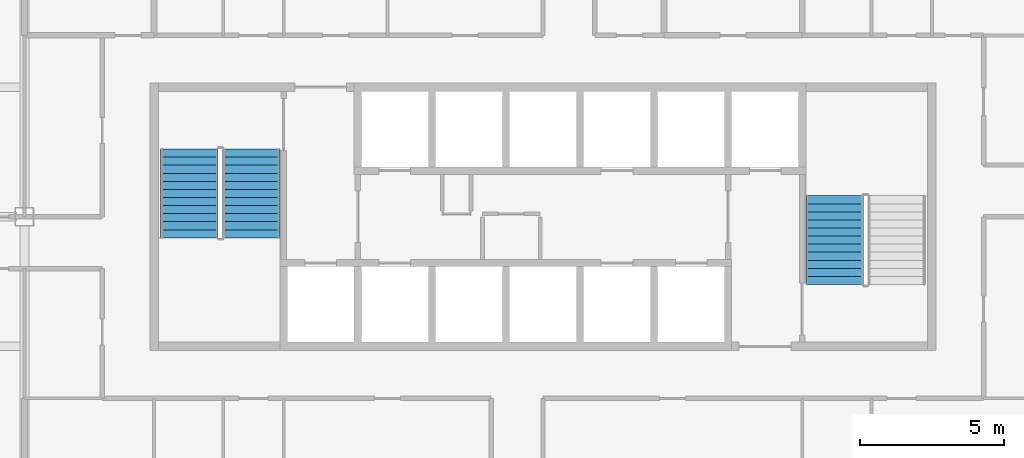
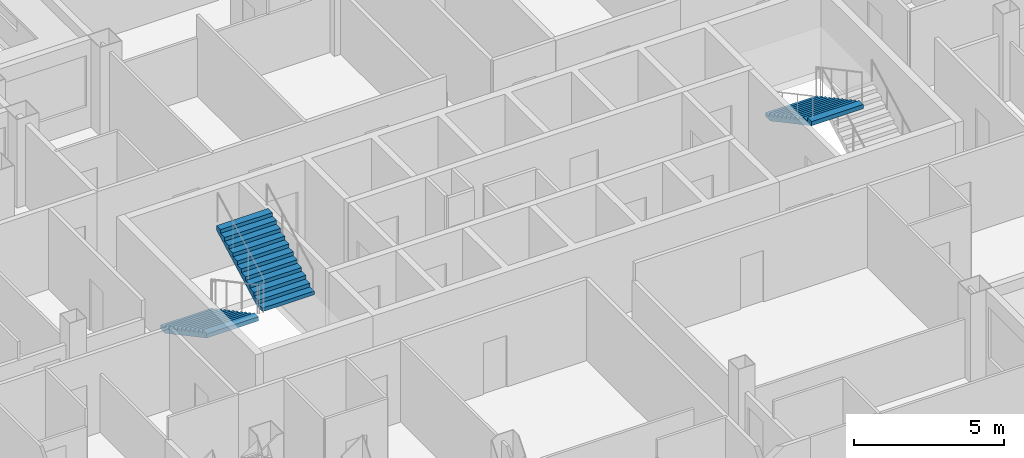
# One storey, part 11 of 15: 3 stair flights, 2 elements without a shape of their own.
"""IFC4 building model written with IfcOpenShell, lengths in metres."""

from ifc_helpers import new_model, si_unit, direction, frame, origin, place, context, subcontext, project, spatial, polygons, material, type_object, element, aggregate, save


model = new_model("IFC4")

# Units and contexts
model_context = context("Model", 3, precision=1e-05, world=origin(), true_north=direction((0.0, 1.0)))
body_context = subcontext(model_context, "Body", "Model", "MODEL_VIEW")
ifc_project = project(units=[si_unit("LENGTHUNIT", "METRE"), si_unit("AREAUNIT", "SQUARE_METRE"), si_unit("VOLUMEUNIT", "CUBIC_METRE"), si_unit("PLANEANGLEUNIT", "RADIAN"), si_unit("MASSUNIT", "GRAM", prefix="KILO")], contexts=[model_context])

# Site, building, storey
site_placement = place(None, origin())
site = spatial("IfcSite", under=ifc_project, at=site_placement, CompositionType="ELEMENT")
building_placement = place(site_placement, origin())
building = spatial("IfcBuilding", under=site, at=building_placement, Name="Caravel Reach Hotel and Residences", CompositionType="ELEMENT")
storey_placement = place(building_placement, frame((0.0, 0.0, 122.39990234375)))
storey = spatial("IfcBuildingStorey", under=building, at=storey_placement, Name="L30", CompositionType="ELEMENT", Elevation=122.39990234375)

# Stair, stair flights
ifc_material_1 = material(Name="Concrete C40", Category="concrete")
stair_type = type_object("IfcStairType", Name="Core stair", PredefinedType="HALF_TURN_STAIR", material=ifc_material_1)
stair_1_placement = place(storey_placement, origin())
stair_1 = element("IfcStair", 1, at=stair_1_placement, inside=storey, type_object=stair_type, Name="L30 Exit stair A", PredefinedType="HALF_TURN_STAIR")
ifc_material_2 = material(Name="Concrete C40", Category="concrete")
stair_flight_type = type_object("IfcStairFlightType", Name="Core stair flight", PredefinedType="STRAIGHT", material=ifc_material_2)
stair_flight_1_placement = place(storey_placement, frame((19.22509765625, 29.35009765625, 0.0), z_axis=(0.0, 0.0, 1.0), x_axis=(0.0, -1.0, 0.0)))
stair_flight_1 = element("IfcStairFlight", 2, at=stair_flight_1_placement, type_object=stair_flight_type, Name="ST-A flight 1", NumberOfRisers=12, NumberOfTreads=11, PredefinedType="STRAIGHT", RiserHeight=0.15, TreadLength=0.28, context=body_context, shape_type="Tessellation", body=[
    polygons([(0.3174408016601862, 1.0, 0.0), (0.3174408016601862, 0.6666666666666667, 0.0), (0.3174408016601862, 0.33333333333333337, 0.0), (0.3174408016601862, 0.0, 0.0), (0.3174408016601862, -0.33333333333333326, 0.0), (0.3174408016601862, -0.6666666666666667, 0.0), (0.3174408016601862, -1.0, 0.0), (3.081, 1.0, 1.479942427682043), (3.081, 0.6666666666666667, 1.479942427682043), (3.081, 0.33333333333333337, 1.479942427682043), (3.081, 0.0, 1.479942427682043), (3.081, -0.33333333333333326, 1.479942427682043), (3.081, -0.6666666666666667, 1.479942427682043), (3.081, -1.0, 1.479942427682043), (3.081, 1.0, 1.65), (3.081, 0.6666666666666667, 1.65), (3.081, 0.33333333333333337, 1.65), (3.081, 0.0, 1.65), (3.081, -0.33333333333333326, 1.65), (3.081, -0.6666666666666667, 1.65), (3.081, -1.0, 1.65), (2.8000000000000003, 1.0, 1.65), (2.8000000000000003, 0.6666666666666667, 1.65), (2.8000000000000003, 0.33333333333333337, 1.65), (2.8000000000000003, 0.0, 1.65), (2.8000000000000003, -0.33333333333333326, 1.65), (2.8000000000000003, -0.6666666666666667, 1.65), (2.8000000000000003, -1.0, 1.65), (2.8000000000000003, 1.0, 1.5), (2.8000000000000003, 0.6666666666666667, 1.5), (2.8000000000000003, 0.33333333333333337, 1.5), (2.8000000000000003, 0.0, 1.5), (2.8000000000000003, -0.33333333333333326, 1.5), (2.8000000000000003, -0.6666666666666667, 1.5), (2.8000000000000003, -1.0, 1.5), (2.5200000000000005, 1.0, 1.5), (2.5200000000000005, 0.6666666666666667, 1.5), (2.5200000000000005, 0.33333333333333337, 1.5), (2.5200000000000005, 0.0, 1.5), (2.5200000000000005, -0.33333333333333326, 1.5), (2.5200000000000005, -0.6666666666666667, 1.5), (2.5200000000000005, -1.0, 1.5), (2.5200000000000005, 1.0, 1.3499999999999999), (2.5200000000000005, 0.6666666666666667, 1.3499999999999999), (2.5200000000000005, 0.33333333333333337, 1.3499999999999999), (2.5200000000000005, 0.0, 1.3499999999999999), (2.5200000000000005, -0.33333333333333326, 1.3499999999999999), (2.5200000000000005, -0.6666666666666667, 1.3499999999999999), (2.5200000000000005, -1.0, 1.3499999999999999), (2.24, 1.0, 1.3499999999999999), (2.24, 0.6666666666666667, 1.3499999999999999), (2.24, 0.33333333333333337, 1.3499999999999999), (2.24, 0.0, 1.3499999999999999), (2.24, -0.33333333333333326, 1.3499999999999999), (2.24, -0.6666666666666667, 1.3499999999999999), (2.24, -1.0, 1.3499999999999999), (2.24, 1.0, 1.2), (2.24, 0.6666666666666667, 1.2), (2.24, 0.33333333333333337, 1.2), (2.24, 0.0, 1.2), (2.24, -0.33333333333333326, 1.2), (2.24, -0.6666666666666667, 1.2), (2.24, -1.0, 1.2), (1.9600000000000002, 1.0, 1.2), (1.9600000000000002, 0.6666666666666667, 1.2), (1.9600000000000002, 0.33333333333333337, 1.2), (1.9600000000000002, 0.0, 1.2), (1.9600000000000002, -0.33333333333333326, 1.2), (1.9600000000000002, -0.6666666666666667, 1.2), (1.9600000000000002, -1.0, 1.2), (1.9600000000000002, 1.0, 1.05), (1.9600000000000002, 0.6666666666666667, 1.05), (1.9600000000000002, 0.33333333333333337, 1.05), (1.9600000000000002, 0.0, 1.05), (1.9600000000000002, -0.33333333333333326, 1.05), (1.9600000000000002, -0.6666666666666667, 1.05), (1.9600000000000002, -1.0, 1.05), (1.6800000000000002, 1.0, 1.05), (1.6800000000000002, 0.6666666666666667, 1.05), (1.6800000000000002, 0.33333333333333337, 1.05), (1.6800000000000002, 0.0, 1.05), (1.6800000000000002, -0.33333333333333326, 1.05), (1.6800000000000002, -0.6666666666666667, 1.05), (1.6800000000000002, -1.0, 1.05), (1.6800000000000002, 1.0, 0.8999999999999999), (1.6800000000000002, 0.6666666666666667, 0.8999999999999999), (1.6800000000000002, 0.33333333333333337, 0.8999999999999999), (1.6800000000000002, 0.0, 0.8999999999999999), (1.6800000000000002, -0.33333333333333326, 0.8999999999999999), (1.6800000000000002, -0.6666666666666667, 0.8999999999999999), (1.6800000000000002, -1.0, 0.8999999999999999), (1.4000000000000001, 1.0, 0.8999999999999999), (1.4000000000000001, 0.6666666666666667, 0.8999999999999999), (1.4000000000000001, 0.33333333333333337, 0.8999999999999999), (1.4000000000000001, 0.0, 0.8999999999999999), (1.4000000000000001, -0.33333333333333326, 0.8999999999999999), (1.4000000000000001, -0.6666666666666667, 0.8999999999999999), (1.4000000000000001, -1.0, 0.8999999999999999), (1.4000000000000001, 1.0, 0.75), (1.4000000000000001, 0.6666666666666667, 0.75), (1.4000000000000001, 0.33333333333333337, 0.75), (1.4000000000000001, 0.0, 0.75), (1.4000000000000001, -0.33333333333333326, 0.75), (1.4000000000000001, -0.6666666666666667, 0.75), (1.4000000000000001, -1.0, 0.75), (1.12, 1.0, 0.75), (1.12, 0.6666666666666667, 0.75), (1.12, 0.33333333333333337, 0.75), (1.12, 0.0, 0.75), (1.12, -0.33333333333333326, 0.75), (1.12, -0.6666666666666667, 0.75), (1.12, -1.0, 0.75), (1.12, 1.0, 0.6), (1.12, 0.6666666666666667, 0.6), (1.12, 0.33333333333333337, 0.6), (1.12, 0.0, 0.6), (1.12, -0.33333333333333326, 0.6), (1.12, -0.6666666666666667, 0.6), (1.12, -1.0, 0.6), (0.8400000000000001, 1.0, 0.6), (0.8400000000000001, 0.6666666666666667, 0.6), (0.8400000000000001, 0.33333333333333337, 0.6), (0.8400000000000001, 0.0, 0.6), (0.8400000000000001, -0.33333333333333326, 0.6), (0.8400000000000001, -0.6666666666666667, 0.6), (0.8400000000000001, -1.0, 0.6), (0.8400000000000001, 1.0, 0.44999999999999996), (0.8400000000000001, 0.6666666666666667, 0.44999999999999996), (0.8400000000000001, 0.33333333333333337, 0.44999999999999996), (0.8400000000000001, 0.0, 0.44999999999999996), (0.8400000000000001, -0.33333333333333326, 0.44999999999999996), (0.8400000000000001, -0.6666666666666667, 0.44999999999999996), (0.8400000000000001, -1.0, 0.44999999999999996), (0.56, 1.0, 0.44999999999999996), (0.56, 0.6666666666666667, 0.44999999999999996), (0.56, 0.33333333333333337, 0.44999999999999996), (0.56, 0.0, 0.44999999999999996), (0.56, -0.33333333333333326, 0.44999999999999996), (0.56, -0.6666666666666667, 0.44999999999999996), (0.56, -1.0, 0.44999999999999996), (0.56, 1.0, 0.3), (0.56, 0.6666666666666667, 0.3), (0.56, 0.33333333333333337, 0.3), (0.56, 0.0, 0.3), (0.56, -0.33333333333333326, 0.3), (0.56, -0.6666666666666667, 0.3), (0.56, -1.0, 0.3), (0.28, 1.0, 0.3), (0.28, 0.6666666666666667, 0.3), (0.28, 0.33333333333333337, 0.3), (0.28, 0.0, 0.3), (0.28, -0.33333333333333326, 0.3), (0.28, -0.6666666666666667, 0.3), (0.28, -1.0, 0.3), (0.28, 1.0, 0.15), (0.28, 0.6666666666666667, 0.15), (0.28, 0.33333333333333337, 0.15), (0.28, 0.0, 0.15), (0.28, -0.33333333333333326, 0.15), (0.28, -0.6666666666666667, 0.15), (0.28, -1.0, 0.15), (-0.001, 1.0, 0.15), (-0.001, 0.6666666666666667, 0.15), (-0.001, 0.33333333333333337, 0.15), (-0.001, 0.0, 0.15), (-0.001, -0.33333333333333326, 0.15), (-0.001, -0.6666666666666667, 0.15), (-0.001, -1.0, 0.15), (-0.001, 1.0, 0.0), (-0.001, 0.6666666666666667, 0.0), (-0.001, 0.33333333333333337, 0.0), (-0.001, 0.0, 0.0), (-0.001, -0.33333333333333326, 0.0), (-0.001, -0.6666666666666667, 0.0), (-0.001, -1.0, 0.0)], [[[169, 162, 155, 148, 141, 134, 127, 120, 113, 106, 99, 92, 85, 78, 71, 64, 57, 50, 43, 36, 29, 22, 15, 8, 1]], [[7, 14, 21, 28, 35, 42, 49, 56, 63, 70, 77, 84, 91, 98, 105, 112, 119, 126, 133, 140, 147, 154, 161, 168, 175]], [[1, 8, 9, 2]], [[2, 9, 10, 3]], [[3, 10, 11, 4]], [[4, 11, 12, 5]], [[5, 12, 13, 6]], [[6, 13, 14, 7]], [[8, 15, 16, 9]], [[9, 16, 17, 10]], [[10, 17, 18, 11]], [[11, 18, 19, 12]], [[12, 19, 20, 13]], [[13, 20, 21, 14]], [[15, 22, 23, 16]], [[16, 23, 24, 17]], [[17, 24, 25, 18]], [[18, 25, 26, 19]], [[19, 26, 27, 20]], [[20, 27, 28, 21]], [[22, 29, 30, 23]], [[23, 30, 31, 24]], [[24, 31, 32, 25]], [[25, 32, 33, 26]], [[26, 33, 34, 27]], [[27, 34, 35, 28]], [[29, 36, 37, 30]], [[30, 37, 38, 31]], [[31, 38, 39, 32]], [[32, 39, 40, 33]], [[33, 40, 41, 34]], [[34, 41, 42, 35]], [[36, 43, 44, 37]], [[37, 44, 45, 38]], [[38, 45, 46, 39]], [[39, 46, 47, 40]], [[40, 47, 48, 41]], [[41, 48, 49, 42]], [[43, 50, 51, 44]], [[44, 51, 52, 45]], [[45, 52, 53, 46]], [[46, 53, 54, 47]], [[47, 54, 55, 48]], [[48, 55, 56, 49]], [[50, 57, 58, 51]], [[51, 58, 59, 52]], [[52, 59, 60, 53]], [[53, 60, 61, 54]], [[54, 61, 62, 55]], [[55, 62, 63, 56]], [[57, 64, 65, 58]], [[58, 65, 66, 59]], [[59, 66, 67, 60]], [[60, 67, 68, 61]], [[61, 68, 69, 62]], [[62, 69, 70, 63]], [[64, 71, 72, 65]], [[65, 72, 73, 66]], [[66, 73, 74, 67]], [[67, 74, 75, 68]], [[68, 75, 76, 69]], [[69, 76, 77, 70]], [[71, 78, 79, 72]], [[72, 79, 80, 73]], [[73, 80, 81, 74]], [[74, 81, 82, 75]], [[75, 82, 83, 76]], [[76, 83, 84, 77]], [[78, 85, 86, 79]], [[79, 86, 87, 80]], [[80, 87, 88, 81]], [[81, 88, 89, 82]], [[82, 89, 90, 83]], [[83, 90, 91, 84]], [[85, 92, 93, 86]], [[86, 93, 94, 87]], [[87, 94, 95, 88]], [[88, 95, 96, 89]], [[89, 96, 97, 90]], [[90, 97, 98, 91]], [[92, 99, 100, 93]], [[93, 100, 101, 94]], [[94, 101, 102, 95]], [[95, 102, 103, 96]], [[96, 103, 104, 97]], [[97, 104, 105, 98]], [[99, 106, 107, 100]], [[100, 107, 108, 101]], [[101, 108, 109, 102]], [[102, 109, 110, 103]], [[103, 110, 111, 104]], [[104, 111, 112, 105]], [[106, 113, 114, 107]], [[107, 114, 115, 108]], [[108, 115, 116, 109]], [[109, 116, 117, 110]], [[110, 117, 118, 111]], [[111, 118, 119, 112]], [[113, 120, 121, 114]], [[114, 121, 122, 115]], [[115, 122, 123, 116]], [[116, 123, 124, 117]], [[117, 124, 125, 118]], [[118, 125, 126, 119]], [[120, 127, 128, 121]], [[121, 128, 129, 122]], [[122, 129, 130, 123]], [[123, 130, 131, 124]], [[124, 131, 132, 125]], [[125, 132, 133, 126]], [[127, 134, 135, 128]], [[128, 135, 136, 129]], [[129, 136, 137, 130]], [[130, 137, 138, 131]], [[131, 138, 139, 132]], [[132, 139, 140, 133]], [[134, 141, 142, 135]], [[135, 142, 143, 136]], [[136, 143, 144, 137]], [[137, 144, 145, 138]], [[138, 145, 146, 139]], [[139, 146, 147, 140]], [[141, 148, 149, 142]], [[142, 149, 150, 143]], [[143, 150, 151, 144]], [[144, 151, 152, 145]], [[145, 152, 153, 146]], [[146, 153, 154, 147]], [[148, 155, 156, 149]], [[149, 156, 157, 150]], [[150, 157, 158, 151]], [[151, 158, 159, 152]], [[152, 159, 160, 153]], [[153, 160, 161, 154]], [[155, 162, 163, 156]], [[156, 163, 164, 157]], [[157, 164, 165, 158]], [[158, 165, 166, 159]], [[159, 166, 167, 160]], [[160, 167, 168, 161]], [[162, 169, 170, 163]], [[163, 170, 171, 164]], [[164, 171, 172, 165]], [[165, 172, 173, 166]], [[166, 173, 174, 167]], [[167, 174, 175, 168]], [[169, 1, 2, 170]], [[170, 2, 3, 171]], [[171, 3, 4, 172]], [[172, 4, 5, 173]], [[173, 5, 6, 174]], [[174, 6, 7, 175]]], closed=True),
])
stair_flight_2_placement = place(storey_placement, frame((21.375, 26.27001953125, 1.800048828125), z_axis=(0.0, 0.0, 1.0), x_axis=(0.0, 1.0, 0.0)))
stair_flight_2 = element("IfcStairFlight", 3, at=stair_flight_2_placement, type_object=stair_flight_type, Name="ST-A flight 2", NumberOfRisers=12, NumberOfTreads=11, PredefinedType="STRAIGHT", RiserHeight=0.15, TreadLength=0.28, context=body_context, shape_type="Tessellation", body=[
    polygons([(0.3174408016601862, 1.0, 0.0), (0.3174408016601862, 0.6666666666666667, 0.0), (0.3174408016601862, 0.33333333333333337, 0.0), (0.3174408016601862, 0.0, 0.0), (0.3174408016601862, -0.33333333333333326, 0.0), (0.3174408016601862, -0.6666666666666667, 0.0), (0.3174408016601862, -1.0, 0.0), (3.081, 1.0, 1.479942427682043), (3.081, 0.6666666666666667, 1.479942427682043), (3.081, 0.33333333333333337, 1.479942427682043), (3.081, 0.0, 1.479942427682043), (3.081, -0.33333333333333326, 1.479942427682043), (3.081, -0.6666666666666667, 1.479942427682043), (3.081, -1.0, 1.479942427682043), (3.081, 1.0, 1.65), (3.081, 0.6666666666666667, 1.65), (3.081, 0.33333333333333337, 1.65), (3.081, 0.0, 1.65), (3.081, -0.33333333333333326, 1.65), (3.081, -0.6666666666666667, 1.65), (3.081, -1.0, 1.65), (2.8000000000000003, 1.0, 1.65), (2.8000000000000003, 0.6666666666666667, 1.65), (2.8000000000000003, 0.33333333333333337, 1.65), (2.8000000000000003, 0.0, 1.65), (2.8000000000000003, -0.33333333333333326, 1.65), (2.8000000000000003, -0.6666666666666667, 1.65), (2.8000000000000003, -1.0, 1.65), (2.8000000000000003, 1.0, 1.5), (2.8000000000000003, 0.6666666666666667, 1.5), (2.8000000000000003, 0.33333333333333337, 1.5), (2.8000000000000003, 0.0, 1.5), (2.8000000000000003, -0.33333333333333326, 1.5), (2.8000000000000003, -0.6666666666666667, 1.5), (2.8000000000000003, -1.0, 1.5), (2.5200000000000005, 1.0, 1.5), (2.5200000000000005, 0.6666666666666667, 1.5), (2.5200000000000005, 0.33333333333333337, 1.5), (2.5200000000000005, 0.0, 1.5), (2.5200000000000005, -0.33333333333333326, 1.5), (2.5200000000000005, -0.6666666666666667, 1.5), (2.5200000000000005, -1.0, 1.5), (2.5200000000000005, 1.0, 1.3499999999999999), (2.5200000000000005, 0.6666666666666667, 1.3499999999999999), (2.5200000000000005, 0.33333333333333337, 1.3499999999999999), (2.5200000000000005, 0.0, 1.3499999999999999), (2.5200000000000005, -0.33333333333333326, 1.3499999999999999), (2.5200000000000005, -0.6666666666666667, 1.3499999999999999), (2.5200000000000005, -1.0, 1.3499999999999999), (2.24, 1.0, 1.3499999999999999), (2.24, 0.6666666666666667, 1.3499999999999999), (2.24, 0.33333333333333337, 1.3499999999999999), (2.24, 0.0, 1.3499999999999999), (2.24, -0.33333333333333326, 1.3499999999999999), (2.24, -0.6666666666666667, 1.3499999999999999), (2.24, -1.0, 1.3499999999999999), (2.24, 1.0, 1.2), (2.24, 0.6666666666666667, 1.2), (2.24, 0.33333333333333337, 1.2), (2.24, 0.0, 1.2), (2.24, -0.33333333333333326, 1.2), (2.24, -0.6666666666666667, 1.2), (2.24, -1.0, 1.2), (1.9600000000000002, 1.0, 1.2), (1.9600000000000002, 0.6666666666666667, 1.2), (1.9600000000000002, 0.33333333333333337, 1.2), (1.9600000000000002, 0.0, 1.2), (1.9600000000000002, -0.33333333333333326, 1.2), (1.9600000000000002, -0.6666666666666667, 1.2), (1.9600000000000002, -1.0, 1.2), (1.9600000000000002, 1.0, 1.05), (1.9600000000000002, 0.6666666666666667, 1.05), (1.9600000000000002, 0.33333333333333337, 1.05), (1.9600000000000002, 0.0, 1.05), (1.9600000000000002, -0.33333333333333326, 1.05), (1.9600000000000002, -0.6666666666666667, 1.05), (1.9600000000000002, -1.0, 1.05), (1.6800000000000002, 1.0, 1.05), (1.6800000000000002, 0.6666666666666667, 1.05), (1.6800000000000002, 0.33333333333333337, 1.05), (1.6800000000000002, 0.0, 1.05), (1.6800000000000002, -0.33333333333333326, 1.05), (1.6800000000000002, -0.6666666666666667, 1.05), (1.6800000000000002, -1.0, 1.05), (1.6800000000000002, 1.0, 0.8999999999999999), (1.6800000000000002, 0.6666666666666667, 0.8999999999999999), (1.6800000000000002, 0.33333333333333337, 0.8999999999999999), (1.6800000000000002, 0.0, 0.8999999999999999), (1.6800000000000002, -0.33333333333333326, 0.8999999999999999), (1.6800000000000002, -0.6666666666666667, 0.8999999999999999), (1.6800000000000002, -1.0, 0.8999999999999999), (1.4000000000000001, 1.0, 0.8999999999999999), (1.4000000000000001, 0.6666666666666667, 0.8999999999999999), (1.4000000000000001, 0.33333333333333337, 0.8999999999999999), (1.4000000000000001, 0.0, 0.8999999999999999), (1.4000000000000001, -0.33333333333333326, 0.8999999999999999), (1.4000000000000001, -0.6666666666666667, 0.8999999999999999), (1.4000000000000001, -1.0, 0.8999999999999999), (1.4000000000000001, 1.0, 0.75), (1.4000000000000001, 0.6666666666666667, 0.75), (1.4000000000000001, 0.33333333333333337, 0.75), (1.4000000000000001, 0.0, 0.75), (1.4000000000000001, -0.33333333333333326, 0.75), (1.4000000000000001, -0.6666666666666667, 0.75), (1.4000000000000001, -1.0, 0.75), (1.12, 1.0, 0.75), (1.12, 0.6666666666666667, 0.75), (1.12, 0.33333333333333337, 0.75), (1.12, 0.0, 0.75), (1.12, -0.33333333333333326, 0.75), (1.12, -0.6666666666666667, 0.75), (1.12, -1.0, 0.75), (1.12, 1.0, 0.6), (1.12, 0.6666666666666667, 0.6), (1.12, 0.33333333333333337, 0.6), (1.12, 0.0, 0.6), (1.12, -0.33333333333333326, 0.6), (1.12, -0.6666666666666667, 0.6), (1.12, -1.0, 0.6), (0.8400000000000001, 1.0, 0.6), (0.8400000000000001, 0.6666666666666667, 0.6), (0.8400000000000001, 0.33333333333333337, 0.6), (0.8400000000000001, 0.0, 0.6), (0.8400000000000001, -0.33333333333333326, 0.6), (0.8400000000000001, -0.6666666666666667, 0.6), (0.8400000000000001, -1.0, 0.6), (0.8400000000000001, 1.0, 0.44999999999999996), (0.8400000000000001, 0.6666666666666667, 0.44999999999999996), (0.8400000000000001, 0.33333333333333337, 0.44999999999999996), (0.8400000000000001, 0.0, 0.44999999999999996), (0.8400000000000001, -0.33333333333333326, 0.44999999999999996), (0.8400000000000001, -0.6666666666666667, 0.44999999999999996), (0.8400000000000001, -1.0, 0.44999999999999996), (0.56, 1.0, 0.44999999999999996), (0.56, 0.6666666666666667, 0.44999999999999996), (0.56, 0.33333333333333337, 0.44999999999999996), (0.56, 0.0, 0.44999999999999996), (0.56, -0.33333333333333326, 0.44999999999999996), (0.56, -0.6666666666666667, 0.44999999999999996), (0.56, -1.0, 0.44999999999999996), (0.56, 1.0, 0.3), (0.56, 0.6666666666666667, 0.3), (0.56, 0.33333333333333337, 0.3), (0.56, 0.0, 0.3), (0.56, -0.33333333333333326, 0.3), (0.56, -0.6666666666666667, 0.3), (0.56, -1.0, 0.3), (0.28, 1.0, 0.3), (0.28, 0.6666666666666667, 0.3), (0.28, 0.33333333333333337, 0.3), (0.28, 0.0, 0.3), (0.28, -0.33333333333333326, 0.3), (0.28, -0.6666666666666667, 0.3), (0.28, -1.0, 0.3), (0.28, 1.0, 0.15), (0.28, 0.6666666666666667, 0.15), (0.28, 0.33333333333333337, 0.15), (0.28, 0.0, 0.15), (0.28, -0.33333333333333326, 0.15), (0.28, -0.6666666666666667, 0.15), (0.28, -1.0, 0.15), (-0.001, 1.0, 0.15), (-0.001, 0.6666666666666667, 0.15), (-0.001, 0.33333333333333337, 0.15), (-0.001, 0.0, 0.15), (-0.001, -0.33333333333333326, 0.15), (-0.001, -0.6666666666666667, 0.15), (-0.001, -1.0, 0.15), (-0.001, 1.0, 0.0), (-0.001, 0.6666666666666667, 0.0), (-0.001, 0.33333333333333337, 0.0), (-0.001, 0.0, 0.0), (-0.001, -0.33333333333333326, 0.0), (-0.001, -0.6666666666666667, 0.0), (-0.001, -1.0, 0.0)], [[[169, 162, 155, 148, 141, 134, 127, 120, 113, 106, 99, 92, 85, 78, 71, 64, 57, 50, 43, 36, 29, 22, 15, 8, 1]], [[7, 14, 21, 28, 35, 42, 49, 56, 63, 70, 77, 84, 91, 98, 105, 112, 119, 126, 133, 140, 147, 154, 161, 168, 175]], [[1, 8, 9, 2]], [[2, 9, 10, 3]], [[3, 10, 11, 4]], [[4, 11, 12, 5]], [[5, 12, 13, 6]], [[6, 13, 14, 7]], [[8, 15, 16, 9]], [[9, 16, 17, 10]], [[10, 17, 18, 11]], [[11, 18, 19, 12]], [[12, 19, 20, 13]], [[13, 20, 21, 14]], [[15, 22, 23, 16]], [[16, 23, 24, 17]], [[17, 24, 25, 18]], [[18, 25, 26, 19]], [[19, 26, 27, 20]], [[20, 27, 28, 21]], [[22, 29, 30, 23]], [[23, 30, 31, 24]], [[24, 31, 32, 25]], [[25, 32, 33, 26]], [[26, 33, 34, 27]], [[27, 34, 35, 28]], [[29, 36, 37, 30]], [[30, 37, 38, 31]], [[31, 38, 39, 32]], [[32, 39, 40, 33]], [[33, 40, 41, 34]], [[34, 41, 42, 35]], [[36, 43, 44, 37]], [[37, 44, 45, 38]], [[38, 45, 46, 39]], [[39, 46, 47, 40]], [[40, 47, 48, 41]], [[41, 48, 49, 42]], [[43, 50, 51, 44]], [[44, 51, 52, 45]], [[45, 52, 53, 46]], [[46, 53, 54, 47]], [[47, 54, 55, 48]], [[48, 55, 56, 49]], [[50, 57, 58, 51]], [[51, 58, 59, 52]], [[52, 59, 60, 53]], [[53, 60, 61, 54]], [[54, 61, 62, 55]], [[55, 62, 63, 56]], [[57, 64, 65, 58]], [[58, 65, 66, 59]], [[59, 66, 67, 60]], [[60, 67, 68, 61]], [[61, 68, 69, 62]], [[62, 69, 70, 63]], [[64, 71, 72, 65]], [[65, 72, 73, 66]], [[66, 73, 74, 67]], [[67, 74, 75, 68]], [[68, 75, 76, 69]], [[69, 76, 77, 70]], [[71, 78, 79, 72]], [[72, 79, 80, 73]], [[73, 80, 81, 74]], [[74, 81, 82, 75]], [[75, 82, 83, 76]], [[76, 83, 84, 77]], [[78, 85, 86, 79]], [[79, 86, 87, 80]], [[80, 87, 88, 81]], [[81, 88, 89, 82]], [[82, 89, 90, 83]], [[83, 90, 91, 84]], [[85, 92, 93, 86]], [[86, 93, 94, 87]], [[87, 94, 95, 88]], [[88, 95, 96, 89]], [[89, 96, 97, 90]], [[90, 97, 98, 91]], [[92, 99, 100, 93]], [[93, 100, 101, 94]], [[94, 101, 102, 95]], [[95, 102, 103, 96]], [[96, 103, 104, 97]], [[97, 104, 105, 98]], [[99, 106, 107, 100]], [[100, 107, 108, 101]], [[101, 108, 109, 102]], [[102, 109, 110, 103]], [[103, 110, 111, 104]], [[104, 111, 112, 105]], [[106, 113, 114, 107]], [[107, 114, 115, 108]], [[108, 115, 116, 109]], [[109, 116, 117, 110]], [[110, 117, 118, 111]], [[111, 118, 119, 112]], [[113, 120, 121, 114]], [[114, 121, 122, 115]], [[115, 122, 123, 116]], [[116, 123, 124, 117]], [[117, 124, 125, 118]], [[118, 125, 126, 119]], [[120, 127, 128, 121]], [[121, 128, 129, 122]], [[122, 129, 130, 123]], [[123, 130, 131, 124]], [[124, 131, 132, 125]], [[125, 132, 133, 126]], [[127, 134, 135, 128]], [[128, 135, 136, 129]], [[129, 136, 137, 130]], [[130, 137, 138, 131]], [[131, 138, 139, 132]], [[132, 139, 140, 133]], [[134, 141, 142, 135]], [[135, 142, 143, 136]], [[136, 143, 144, 137]], [[137, 144, 145, 138]], [[138, 145, 146, 139]], [[139, 146, 147, 140]], [[141, 148, 149, 142]], [[142, 149, 150, 143]], [[143, 150, 151, 144]], [[144, 151, 152, 145]], [[145, 152, 153, 146]], [[146, 153, 154, 147]], [[148, 155, 156, 149]], [[149, 156, 157, 150]], [[150, 157, 158, 151]], [[151, 158, 159, 152]], [[152, 159, 160, 153]], [[153, 160, 161, 154]], [[155, 162, 163, 156]], [[156, 163, 164, 157]], [[157, 164, 165, 158]], [[158, 165, 166, 159]], [[159, 166, 167, 160]], [[160, 167, 168, 161]], [[162, 169, 170, 163]], [[163, 170, 171, 164]], [[164, 171, 172, 165]], [[165, 172, 173, 166]], [[166, 173, 174, 167]], [[167, 174, 175, 168]], [[169, 1, 2, 170]], [[170, 2, 3, 171]], [[171, 3, 4, 172]], [[172, 4, 5, 173]], [[173, 5, 6, 174]], [[174, 6, 7, 175]]], closed=True),
])
aggregate(stair_1, [stair_flight_1, stair_flight_2])

# Stair, stair flight
stair_2_placement = place(storey_placement, origin())
stair_2 = element("IfcStair", 4, at=stair_2_placement, inside=storey, type_object=stair_type, Name="L30 Exit stair B", PredefinedType="HALF_TURN_STAIR")
stair_flight_3_placement = place(storey_placement, frame((41.625, 27.72998046875, 1.800048828125), z_axis=(0.0, 0.0, 1.0), x_axis=(0.0, -1.0, 0.0)))
stair_flight_3 = element("IfcStairFlight", 5, at=stair_flight_3_placement, type_object=stair_flight_type, Name="ST-B flight 2", NumberOfRisers=12, NumberOfTreads=11, PredefinedType="STRAIGHT", RiserHeight=0.15, TreadLength=0.28, context=body_context, shape_type="Tessellation", body=[
    polygons([(0.3174408016601862, 1.0, 0.0), (0.3174408016601862, 0.6666666666666667, 0.0), (0.3174408016601862, 0.33333333333333337, 0.0), (0.3174408016601862, 0.0, 0.0), (0.3174408016601862, -0.33333333333333326, 0.0), (0.3174408016601862, -0.6666666666666667, 0.0), (0.3174408016601862, -1.0, 0.0), (3.081, 1.0, 1.479942427682043), (3.081, 0.6666666666666667, 1.479942427682043), (3.081, 0.33333333333333337, 1.479942427682043), (3.081, 0.0, 1.479942427682043), (3.081, -0.33333333333333326, 1.479942427682043), (3.081, -0.6666666666666667, 1.479942427682043), (3.081, -1.0, 1.479942427682043), (3.081, 1.0, 1.65), (3.081, 0.6666666666666667, 1.65), (3.081, 0.33333333333333337, 1.65), (3.081, 0.0, 1.65), (3.081, -0.33333333333333326, 1.65), (3.081, -0.6666666666666667, 1.65), (3.081, -1.0, 1.65), (2.8000000000000003, 1.0, 1.65), (2.8000000000000003, 0.6666666666666667, 1.65), (2.8000000000000003, 0.33333333333333337, 1.65), (2.8000000000000003, 0.0, 1.65), (2.8000000000000003, -0.33333333333333326, 1.65), (2.8000000000000003, -0.6666666666666667, 1.65), (2.8000000000000003, -1.0, 1.65), (2.8000000000000003, 1.0, 1.5), (2.8000000000000003, 0.6666666666666667, 1.5), (2.8000000000000003, 0.33333333333333337, 1.5), (2.8000000000000003, 0.0, 1.5), (2.8000000000000003, -0.33333333333333326, 1.5), (2.8000000000000003, -0.6666666666666667, 1.5), (2.8000000000000003, -1.0, 1.5), (2.5200000000000005, 1.0, 1.5), (2.5200000000000005, 0.6666666666666667, 1.5), (2.5200000000000005, 0.33333333333333337, 1.5), (2.5200000000000005, 0.0, 1.5), (2.5200000000000005, -0.33333333333333326, 1.5), (2.5200000000000005, -0.6666666666666667, 1.5), (2.5200000000000005, -1.0, 1.5), (2.5200000000000005, 1.0, 1.3499999999999999), (2.5200000000000005, 0.6666666666666667, 1.3499999999999999), (2.5200000000000005, 0.33333333333333337, 1.3499999999999999), (2.5200000000000005, 0.0, 1.3499999999999999), (2.5200000000000005, -0.33333333333333326, 1.3499999999999999), (2.5200000000000005, -0.6666666666666667, 1.3499999999999999), (2.5200000000000005, -1.0, 1.3499999999999999), (2.24, 1.0, 1.3499999999999999), (2.24, 0.6666666666666667, 1.3499999999999999), (2.24, 0.33333333333333337, 1.3499999999999999), (2.24, 0.0, 1.3499999999999999), (2.24, -0.33333333333333326, 1.3499999999999999), (2.24, -0.6666666666666667, 1.3499999999999999), (2.24, -1.0, 1.3499999999999999), (2.24, 1.0, 1.2), (2.24, 0.6666666666666667, 1.2), (2.24, 0.33333333333333337, 1.2), (2.24, 0.0, 1.2), (2.24, -0.33333333333333326, 1.2), (2.24, -0.6666666666666667, 1.2), (2.24, -1.0, 1.2), (1.9600000000000002, 1.0, 1.2), (1.9600000000000002, 0.6666666666666667, 1.2), (1.9600000000000002, 0.33333333333333337, 1.2), (1.9600000000000002, 0.0, 1.2), (1.9600000000000002, -0.33333333333333326, 1.2), (1.9600000000000002, -0.6666666666666667, 1.2), (1.9600000000000002, -1.0, 1.2), (1.9600000000000002, 1.0, 1.05), (1.9600000000000002, 0.6666666666666667, 1.05), (1.9600000000000002, 0.33333333333333337, 1.05), (1.9600000000000002, 0.0, 1.05), (1.9600000000000002, -0.33333333333333326, 1.05), (1.9600000000000002, -0.6666666666666667, 1.05), (1.9600000000000002, -1.0, 1.05), (1.6800000000000002, 1.0, 1.05), (1.6800000000000002, 0.6666666666666667, 1.05), (1.6800000000000002, 0.33333333333333337, 1.05), (1.6800000000000002, 0.0, 1.05), (1.6800000000000002, -0.33333333333333326, 1.05), (1.6800000000000002, -0.6666666666666667, 1.05), (1.6800000000000002, -1.0, 1.05), (1.6800000000000002, 1.0, 0.8999999999999999), (1.6800000000000002, 0.6666666666666667, 0.8999999999999999), (1.6800000000000002, 0.33333333333333337, 0.8999999999999999), (1.6800000000000002, 0.0, 0.8999999999999999), (1.6800000000000002, -0.33333333333333326, 0.8999999999999999), (1.6800000000000002, -0.6666666666666667, 0.8999999999999999), (1.6800000000000002, -1.0, 0.8999999999999999), (1.4000000000000001, 1.0, 0.8999999999999999), (1.4000000000000001, 0.6666666666666667, 0.8999999999999999), (1.4000000000000001, 0.33333333333333337, 0.8999999999999999), (1.4000000000000001, 0.0, 0.8999999999999999), (1.4000000000000001, -0.33333333333333326, 0.8999999999999999), (1.4000000000000001, -0.6666666666666667, 0.8999999999999999), (1.4000000000000001, -1.0, 0.8999999999999999), (1.4000000000000001, 1.0, 0.75), (1.4000000000000001, 0.6666666666666667, 0.75), (1.4000000000000001, 0.33333333333333337, 0.75), (1.4000000000000001, 0.0, 0.75), (1.4000000000000001, -0.33333333333333326, 0.75), (1.4000000000000001, -0.6666666666666667, 0.75), (1.4000000000000001, -1.0, 0.75), (1.12, 1.0, 0.75), (1.12, 0.6666666666666667, 0.75), (1.12, 0.33333333333333337, 0.75), (1.12, 0.0, 0.75), (1.12, -0.33333333333333326, 0.75), (1.12, -0.6666666666666667, 0.75), (1.12, -1.0, 0.75), (1.12, 1.0, 0.6), (1.12, 0.6666666666666667, 0.6), (1.12, 0.33333333333333337, 0.6), (1.12, 0.0, 0.6), (1.12, -0.33333333333333326, 0.6), (1.12, -0.6666666666666667, 0.6), (1.12, -1.0, 0.6), (0.8400000000000001, 1.0, 0.6), (0.8400000000000001, 0.6666666666666667, 0.6), (0.8400000000000001, 0.33333333333333337, 0.6), (0.8400000000000001, 0.0, 0.6), (0.8400000000000001, -0.33333333333333326, 0.6), (0.8400000000000001, -0.6666666666666667, 0.6), (0.8400000000000001, -1.0, 0.6), (0.8400000000000001, 1.0, 0.44999999999999996), (0.8400000000000001, 0.6666666666666667, 0.44999999999999996), (0.8400000000000001, 0.33333333333333337, 0.44999999999999996), (0.8400000000000001, 0.0, 0.44999999999999996), (0.8400000000000001, -0.33333333333333326, 0.44999999999999996), (0.8400000000000001, -0.6666666666666667, 0.44999999999999996), (0.8400000000000001, -1.0, 0.44999999999999996), (0.56, 1.0, 0.44999999999999996), (0.56, 0.6666666666666667, 0.44999999999999996), (0.56, 0.33333333333333337, 0.44999999999999996), (0.56, 0.0, 0.44999999999999996), (0.56, -0.33333333333333326, 0.44999999999999996), (0.56, -0.6666666666666667, 0.44999999999999996), (0.56, -1.0, 0.44999999999999996), (0.56, 1.0, 0.3), (0.56, 0.6666666666666667, 0.3), (0.56, 0.33333333333333337, 0.3), (0.56, 0.0, 0.3), (0.56, -0.33333333333333326, 0.3), (0.56, -0.6666666666666667, 0.3), (0.56, -1.0, 0.3), (0.28, 1.0, 0.3), (0.28, 0.6666666666666667, 0.3), (0.28, 0.33333333333333337, 0.3), (0.28, 0.0, 0.3), (0.28, -0.33333333333333326, 0.3), (0.28, -0.6666666666666667, 0.3), (0.28, -1.0, 0.3), (0.28, 1.0, 0.15), (0.28, 0.6666666666666667, 0.15), (0.28, 0.33333333333333337, 0.15), (0.28, 0.0, 0.15), (0.28, -0.33333333333333326, 0.15), (0.28, -0.6666666666666667, 0.15), (0.28, -1.0, 0.15), (-0.001, 1.0, 0.15), (-0.001, 0.6666666666666667, 0.15), (-0.001, 0.33333333333333337, 0.15), (-0.001, 0.0, 0.15), (-0.001, -0.33333333333333326, 0.15), (-0.001, -0.6666666666666667, 0.15), (-0.001, -1.0, 0.15), (-0.001, 1.0, 0.0), (-0.001, 0.6666666666666667, 0.0), (-0.001, 0.33333333333333337, 0.0), (-0.001, 0.0, 0.0), (-0.001, -0.33333333333333326, 0.0), (-0.001, -0.6666666666666667, 0.0), (-0.001, -1.0, 0.0)], [[[169, 162, 155, 148, 141, 134, 127, 120, 113, 106, 99, 92, 85, 78, 71, 64, 57, 50, 43, 36, 29, 22, 15, 8, 1]], [[7, 14, 21, 28, 35, 42, 49, 56, 63, 70, 77, 84, 91, 98, 105, 112, 119, 126, 133, 140, 147, 154, 161, 168, 175]], [[1, 8, 9, 2]], [[2, 9, 10, 3]], [[3, 10, 11, 4]], [[4, 11, 12, 5]], [[5, 12, 13, 6]], [[6, 13, 14, 7]], [[8, 15, 16, 9]], [[9, 16, 17, 10]], [[10, 17, 18, 11]], [[11, 18, 19, 12]], [[12, 19, 20, 13]], [[13, 20, 21, 14]], [[15, 22, 23, 16]], [[16, 23, 24, 17]], [[17, 24, 25, 18]], [[18, 25, 26, 19]], [[19, 26, 27, 20]], [[20, 27, 28, 21]], [[22, 29, 30, 23]], [[23, 30, 31, 24]], [[24, 31, 32, 25]], [[25, 32, 33, 26]], [[26, 33, 34, 27]], [[27, 34, 35, 28]], [[29, 36, 37, 30]], [[30, 37, 38, 31]], [[31, 38, 39, 32]], [[32, 39, 40, 33]], [[33, 40, 41, 34]], [[34, 41, 42, 35]], [[36, 43, 44, 37]], [[37, 44, 45, 38]], [[38, 45, 46, 39]], [[39, 46, 47, 40]], [[40, 47, 48, 41]], [[41, 48, 49, 42]], [[43, 50, 51, 44]], [[44, 51, 52, 45]], [[45, 52, 53, 46]], [[46, 53, 54, 47]], [[47, 54, 55, 48]], [[48, 55, 56, 49]], [[50, 57, 58, 51]], [[51, 58, 59, 52]], [[52, 59, 60, 53]], [[53, 60, 61, 54]], [[54, 61, 62, 55]], [[55, 62, 63, 56]], [[57, 64, 65, 58]], [[58, 65, 66, 59]], [[59, 66, 67, 60]], [[60, 67, 68, 61]], [[61, 68, 69, 62]], [[62, 69, 70, 63]], [[64, 71, 72, 65]], [[65, 72, 73, 66]], [[66, 73, 74, 67]], [[67, 74, 75, 68]], [[68, 75, 76, 69]], [[69, 76, 77, 70]], [[71, 78, 79, 72]], [[72, 79, 80, 73]], [[73, 80, 81, 74]], [[74, 81, 82, 75]], [[75, 82, 83, 76]], [[76, 83, 84, 77]], [[78, 85, 86, 79]], [[79, 86, 87, 80]], [[80, 87, 88, 81]], [[81, 88, 89, 82]], [[82, 89, 90, 83]], [[83, 90, 91, 84]], [[85, 92, 93, 86]], [[86, 93, 94, 87]], [[87, 94, 95, 88]], [[88, 95, 96, 89]], [[89, 96, 97, 90]], [[90, 97, 98, 91]], [[92, 99, 100, 93]], [[93, 100, 101, 94]], [[94, 101, 102, 95]], [[95, 102, 103, 96]], [[96, 103, 104, 97]], [[97, 104, 105, 98]], [[99, 106, 107, 100]], [[100, 107, 108, 101]], [[101, 108, 109, 102]], [[102, 109, 110, 103]], [[103, 110, 111, 104]], [[104, 111, 112, 105]], [[106, 113, 114, 107]], [[107, 114, 115, 108]], [[108, 115, 116, 109]], [[109, 116, 117, 110]], [[110, 117, 118, 111]], [[111, 118, 119, 112]], [[113, 120, 121, 114]], [[114, 121, 122, 115]], [[115, 122, 123, 116]], [[116, 123, 124, 117]], [[117, 124, 125, 118]], [[118, 125, 126, 119]], [[120, 127, 128, 121]], [[121, 128, 129, 122]], [[122, 129, 130, 123]], [[123, 130, 131, 124]], [[124, 131, 132, 125]], [[125, 132, 133, 126]], [[127, 134, 135, 128]], [[128, 135, 136, 129]], [[129, 136, 137, 130]], [[130, 137, 138, 131]], [[131, 138, 139, 132]], [[132, 139, 140, 133]], [[134, 141, 142, 135]], [[135, 142, 143, 136]], [[136, 143, 144, 137]], [[137, 144, 145, 138]], [[138, 145, 146, 139]], [[139, 146, 147, 140]], [[141, 148, 149, 142]], [[142, 149, 150, 143]], [[143, 150, 151, 144]], [[144, 151, 152, 145]], [[145, 152, 153, 146]], [[146, 153, 154, 147]], [[148, 155, 156, 149]], [[149, 156, 157, 150]], [[150, 157, 158, 151]], [[151, 158, 159, 152]], [[152, 159, 160, 153]], [[153, 160, 161, 154]], [[155, 162, 163, 156]], [[156, 163, 164, 157]], [[157, 164, 165, 158]], [[158, 165, 166, 159]], [[159, 166, 167, 160]], [[160, 167, 168, 161]], [[162, 169, 170, 163]], [[163, 170, 171, 164]], [[164, 171, 172, 165]], [[165, 172, 173, 166]], [[166, 173, 174, 167]], [[167, 174, 175, 168]], [[169, 1, 2, 170]], [[170, 2, 3, 171]], [[171, 3, 4, 172]], [[172, 4, 5, 173]], [[173, 5, 6, 174]], [[174, 6, 7, 175]]], closed=True),
])
aggregate(stair_2, [stair_flight_3])

save(model, "model.ifc")
